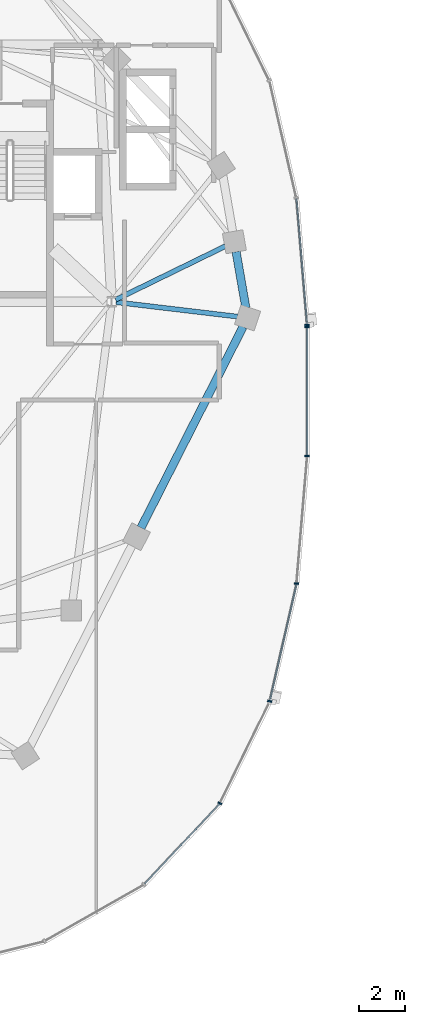
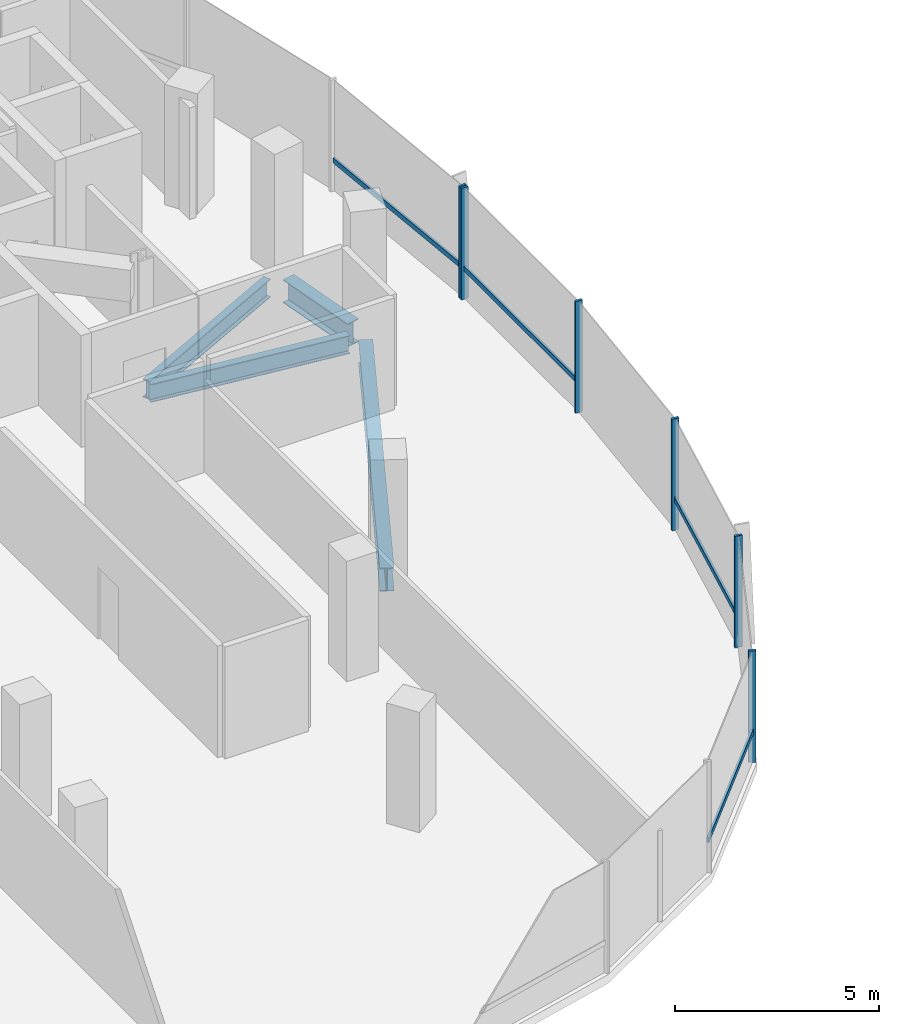
# One storey, part 5 of 25: 10 members, 4 beams, 2 elements without a shape of their own.
"""IFC4 building model written with IfcOpenShell, lengths in metres."""

from ifc_helpers import new_model, si_unit, direction, frame, origin, origin_2d, place, context, subcontext, project, spatial, rectangle, i_section, extrude, material, material_profile, profile_set, type_object, element, aggregate, save


model = new_model("IFC4")

# Units and contexts
model_context = context("Model", 3, precision=1e-05, world=origin(), true_north=direction((0.0, 1.0)))
body_context = subcontext(model_context, "Body", "Model", "MODEL_VIEW")
ifc_project = project(units=[si_unit("LENGTHUNIT", "METRE"), si_unit("AREAUNIT", "SQUARE_METRE"), si_unit("VOLUMEUNIT", "CUBIC_METRE"), si_unit("PLANEANGLEUNIT", "RADIAN"), si_unit("MASSUNIT", "GRAM", prefix="KILO"), si_unit("THERMODYNAMICTEMPERATUREUNIT", "KELVIN"), si_unit("POWERUNIT", "WATT")], contexts=[model_context])

# Site, building, storey
site_placement = place(None, origin())
site = spatial("IfcSite", under=ifc_project, at=site_placement, CompositionType="ELEMENT")
building_placement = place(site_placement, origin())
building = spatial("IfcBuilding", under=site, at=building_placement, Name="Cundina Bronze Exchange", CompositionType="ELEMENT")
storey_placement = place(building_placement, frame((0.0, 0.0, 199.0)))
storey = spatial("IfcBuildingStorey", under=building, at=storey_placement, Name="L52", CompositionType="ELEMENT", Elevation=199.0)

# Beams
ifc_material_1 = material(Name="Steel ASTM A992 Grade 50", Category="steel")
ifc_material_profile_1 = material_profile(ifc_material_1, i_section(OverallWidth=0.2119140625, OverallDepth=0.5439453125, WebThickness=0.01318359375, FlangeThickness=0.021240234375, FilletRadius=0.013916015625, at=origin_2d()), Name="W21X83", Category="steel")
ifc_profile_set_1 = profile_set([ifc_material_profile_1], Name="Steel ASTM A992 Grade 50")
beam_type_1 = type_object("IfcBeamType", Name="BM-FLR-W21A", PredefinedType="BEAM", material=ifc_profile_set_1)
beam_1_placement = place(storey_placement, frame((-21.25537109375, 3.876953125, -0.531982421875), z_axis=(0.993036786722, -0.117804669761, 0.0), x_axis=(0.117804669761, 0.993036786722, 0.0)))
element("IfcBeam", 1, at=beam_1_placement, inside=storey, type_object=beam_type_1, Name="L52 Leg W Radial Floor Beam 00", PredefinedType="BEAM", context=body_context, shape_type="SweptSolid", body=[
    extrude(i_section(OverallWidth=0.2119140625, OverallDepth=0.5439453125, WebThickness=0.01318359375, FlangeThickness=0.021240234375, FilletRadius=0.013916015625, at=origin_2d()), origin(), (0.0, 0.0, 1.0), 5.307373046875),
])
beam_2_placement = place(storey_placement, frame((-21.27392578125, 3.986083984375, -0.531982421875), z_axis=(0.898613202677, 0.438741737214, 0.0), x_axis=(-0.438741737214, 0.898613202677, 0.0)))
element("IfcBeam", 2, at=beam_2_placement, inside=storey, type_object=beam_type_1, Name="L52 Leg W Radial Floor Beam 01", PredefinedType="BEAM", context=body_context, shape_type="SweptSolid", body=[
    extrude(i_section(OverallWidth=0.2119140625, OverallDepth=0.5439453125, WebThickness=0.01318359375, FlangeThickness=0.021240234375, FilletRadius=0.013916015625, at=origin_2d()), origin(), (0.0, 0.0, 1.0), 5.2919921875),
])
ifc_material_profile_2 = material_profile(ifc_material_1, i_section(OverallWidth=0.35498046875, OverallDepth=0.695068359375, WebThickness=0.015380859375, FlangeThickness=0.02490234375, FilletRadius=0.01806640625, at=origin_2d()), Name="W27X146", Category="steel")
ifc_profile_set_2 = profile_set([ifc_material_profile_2], Name="Steel ASTM A992 Grade 50")
beam_type_2 = type_object("IfcBeamType", Name="BM-RING-W27", PredefinedType="USERDEFINED", material=ifc_profile_set_2)
beam_3_placement = place(storey_placement, frame((-15.625244140625, 3.631591796875, -0.607421875), z_axis=(-0.171628556628, 0.985161732179, 0.0), x_axis=(-0.985161732179, -0.171628556628, 0.0)))
element("IfcBeam", 3, at=beam_3_placement, inside=storey, type_object=beam_type_2, Name="L52 W Perimeter Ring Girder 00", ObjectType="GIRDER", PredefinedType="USERDEFINED", context=body_context, shape_type="SweptSolid", body=[
    extrude(i_section(OverallWidth=0.35498046875, OverallDepth=0.695068359375, WebThickness=0.015380859375, FlangeThickness=0.02490234375, FilletRadius=0.01806640625, at=origin_2d()), origin(), (0.0, 0.0, 1.0), 2.4736328125),
])
beam_4_placement = place(storey_placement, frame((-20.1767578125, -5.909423828125, -0.607421875), z_axis=(0.452846871434, 0.891588308039, 0.0), x_axis=(-0.891588308039, 0.452846871434, 0.0)))
element("IfcBeam", 4, at=beam_4_placement, inside=storey, type_object=beam_type_2, Name="L52 W Perimeter Ring Girder 13", ObjectType="GIRDER", PredefinedType="USERDEFINED", context=body_context, shape_type="SweptSolid", body=[
    extrude(i_section(OverallWidth=0.35498046875, OverallDepth=0.695068359375, WebThickness=0.015380859375, FlangeThickness=0.02490234375, FilletRadius=0.01806640625, at=origin_2d()), origin(), (0.0, 0.0, 1.0), 9.779052734375),
])

# Curtain wall, member
ifc_material_2 = material(Name="Anodised Bronze Aluminium 6063-T6", Category="aluminium")
curtain_wall_type = type_object("IfcCurtainWallType", Name="CWS-UPP-OFF", PredefinedType="NOTDEFINED", material=ifc_material_2)
curtain_wall_1_placement = place(storey_placement, origin())
curtain_wall_1 = element("IfcCurtainWall", 5, at=curtain_wall_1_placement, inside=storey, type_object=curtain_wall_type, Name="L52 CW-05 Curtain Wall Run CWR-L52-W1", PredefinedType="NOTDEFINED")
ifc_material_profile_3 = material_profile(ifc_material_2, rectangle(XDim=0.070068359375, YDim=0.18994140625, at=origin_2d()), Name="AL70X190", Category="aluminium")
ifc_profile_set_3 = profile_set([ifc_material_profile_3], Name="Anodised Bronze Aluminium 6063-T6")
member_type_1 = type_object("IfcMemberType", Name="CWM-MUL-190", PredefinedType="MULLION", material=ifc_profile_set_3)
member_1_placement = place(storey_placement, frame((-12.9697265625, 2.88330078125, 0.0), z_axis=(0.0, 0.0, 1.0), x_axis=(-0.083677843332, 0.99649285925, 0.0)))
member_1 = element("IfcMember", 6, at=member_1_placement, type_object=member_type_1, Name="CW-05 Mullion 1", PredefinedType="MULLION", context=body_context, shape_type="SweptSolid", body=[
    extrude(rectangle(XDim=0.070068359375, YDim=0.18994140625, at=origin_2d()), origin(), (0.0, 0.0, 1.0), 3.340087890625),
])

# Curtain wall, members
curtain_wall_2_placement = place(storey_placement, origin())
curtain_wall_2 = element("IfcCurtainWall", 7, at=curtain_wall_2_placement, inside=storey, type_object=curtain_wall_type, Name="L52 CW-05 Curtain Wall Run CWR-L52-W4", PredefinedType="NOTDEFINED")
member_2_placement = place(storey_placement, frame((-16.754638671875, -17.866455078125, 0.0), z_axis=(0.0, 0.0, 1.0), x_axis=(0.440566004113, 0.897720221461, 0.0)))
member_2 = element("IfcMember", 8, at=member_2_placement, type_object=member_type_1, Name="CW-05 Mullion 4", PredefinedType="MULLION", context=body_context, shape_type="SweptSolid", body=[
    extrude(rectangle(XDim=0.070068359375, YDim=0.18994140625, at=origin_2d()), origin(), (0.0, 0.0, 1.0), 3.340087890625),
])
member_3_placement = place(storey_placement, frame((-14.59228515625, -13.440673828125, 0.0), z_axis=(0.0, 0.0, 1.0), x_axis=(0.223250116011, 0.974761194191, 0.0)))
member_3 = element("IfcMember", 9, at=member_3_placement, type_object=member_type_1, Name="CW-05 Mullion 5", PredefinedType="MULLION", context=body_context, shape_type="SweptSolid", body=[
    extrude(rectangle(XDim=0.070068359375, YDim=0.18994140625, at=origin_2d()), origin(), (0.0, 0.0, 1.0), 3.340087890625),
])
member_4_placement = place(storey_placement, frame((-13.427490234375, -8.33056640625, 0.0), z_axis=(0.0, 0.0, 1.0), x_axis=(0.083677843332, 0.99649285925, 0.0)))
member_4 = element("IfcMember", 10, at=member_4_placement, type_object=member_type_1, Name="CW-05 Mullion 6", PredefinedType="MULLION", context=body_context, shape_type="SweptSolid", body=[
    extrude(rectangle(XDim=0.070068359375, YDim=0.18994140625, at=origin_2d()), origin(), (0.0, 0.0, 1.0), 3.340087890625),
])
member_5_placement = place(storey_placement, frame((-12.966064453125, -2.794921875, 0.0), z_axis=(0.0, 0.0, 1.0), x_axis=(0.0, 1.0, 0.0)))
member_5 = element("IfcMember", 11, at=member_5_placement, type_object=member_type_1, Name="CW-05 Mullion 7", PredefinedType="MULLION", context=body_context, shape_type="SweptSolid", body=[
    extrude(rectangle(XDim=0.070068359375, YDim=0.18994140625, at=origin_2d()), origin(), (0.0, 0.0, 1.0), 3.340087890625),
])
member_6_placement = place(storey_placement, frame((-12.966064453125, 2.794921875, 0.0), z_axis=(0.0, 0.0, 1.0), x_axis=(0.0, 1.0, 0.0)))
member_6 = element("IfcMember", 12, at=member_6_placement, type_object=member_type_1, Name="CW-05 End Mullion", PredefinedType="MULLION", context=body_context, shape_type="SweptSolid", body=[
    extrude(rectangle(XDim=0.070068359375, YDim=0.18994140625, at=origin_2d()), origin(), (0.0, 0.0, 1.0), 3.340087890625),
])

# Member
ifc_material_profile_4 = material_profile(ifc_material_2, rectangle(XDim=0.06494140625, YDim=0.14990234375, at=origin_2d()), Name="AL65X150", Category="aluminium")
ifc_profile_set_4 = profile_set([ifc_material_profile_4], Name="Anodised Bronze Aluminium 6063-T6")
member_type_2 = type_object("IfcMemberType", Name="CWM-TRN-150", PredefinedType="USERDEFINED", material=ifc_profile_set_4)
member_7_placement = place(storey_placement, frame((-12.972900390625, 2.921630859375, 0.919921875), z_axis=(-0.083740331158, 0.996487610027, 0.0), x_axis=(-0.996487610027, -0.083740331158, 0.0)))
member_7 = element("IfcMember", 13, at=member_7_placement, type_object=member_type_2, Name="CW-05 Spandrel Transom 1", ObjectType="TRANSOM", PredefinedType="USERDEFINED", context=body_context, shape_type="SweptSolid", body=[
    extrude(rectangle(XDim=0.06494140625, YDim=0.14990234375, at=origin_2d()), origin(), (0.0, 0.0, 1.0), 5.466552734375),
])

aggregate(curtain_wall_1, [member_1, member_7])

member_8_placement = place(storey_placement, frame((-20.02490234375, -21.364501953125, 0.919921875), z_axis=(0.684336416554, 0.729166420633, 0.0), x_axis=(-0.729166420633, 0.684336416554, 0.0)))
member_8 = element("IfcMember", 14, at=member_8_placement, type_object=member_type_2, Name="CW-05 Spandrel Transom 3", ObjectType="TRANSOM", PredefinedType="USERDEFINED", context=body_context, shape_type="SweptSolid", body=[
    extrude(rectangle(XDim=0.06494140625, YDim=0.14990234375, at=origin_2d()), origin(), (0.0, 0.0, 1.0), 4.76513671875),
])

member_9_placement = place(storey_placement, frame((-14.58349609375, -13.403076171875, 0.919921875), z_axis=(0.22328343579, 0.974753562344, 0.0), x_axis=(-0.974753562344, 0.22328343579, 0.0)))
member_9 = element("IfcMember", 15, at=member_9_placement, type_object=member_type_2, Name="CW-05 Spandrel Transom 5", ObjectType="TRANSOM", PredefinedType="USERDEFINED", context=body_context, shape_type="SweptSolid", body=[
    extrude(rectangle(XDim=0.06494140625, YDim=0.14990234375, at=origin_2d()), origin(), (0.0, 0.0, 1.0), 5.159912109375),
])

member_10_placement = place(storey_placement, frame((-12.966064453125, -2.756591796875, 0.919921875), z_axis=(0.0, 1.0, 0.0), x_axis=(-1.0, 0.0, 0.0)))
member_10 = element("IfcMember", 16, at=member_10_placement, type_object=member_type_2, Name="CW-05 Spandrel Transom 7", ObjectType="TRANSOM", PredefinedType="USERDEFINED", context=body_context, shape_type="SweptSolid", body=[
    extrude(rectangle(XDim=0.06494140625, YDim=0.14990234375, at=origin_2d()), origin(), (0.0, 0.0, 1.0), 5.51318359375),
])

aggregate(curtain_wall_2, [member_8, member_2, member_3, member_9, member_4, member_5, member_6, member_10])

save(model, "model.ifc")
